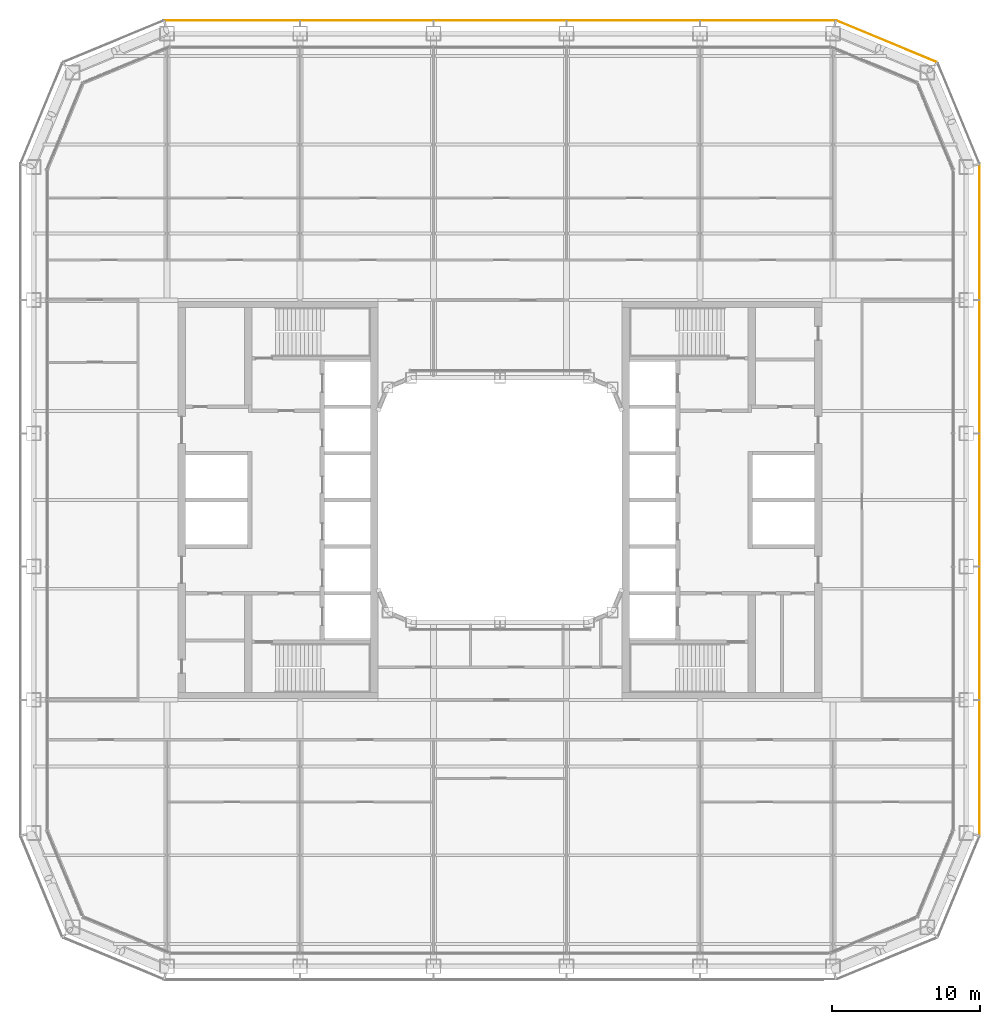
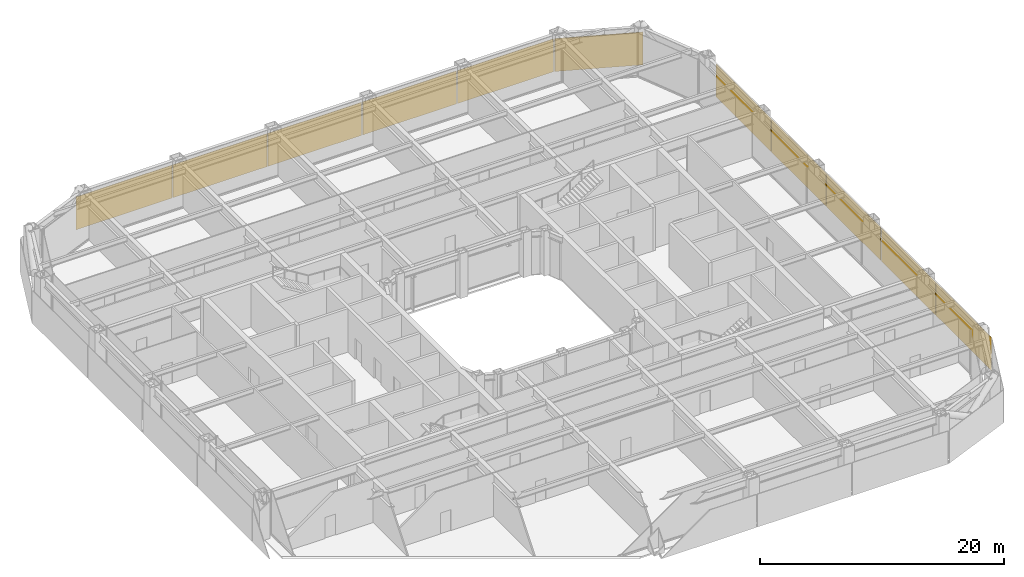
# One storey, part 24 of 24: 11 coverings.
"""IFC4 building model written with IfcOpenShell, lengths in metres."""

from ifc_helpers import new_model, si_unit, direction, frame, origin, origin_2d, place, context, subcontext, project, spatial, rectangle, extrude, material, layer, layer_set, type_object, element, save


model = new_model("IFC4")

# Units and contexts
model_context = context("Model", 3, precision=1e-05, world=origin(), true_north=direction((0.0, 1.0)))
body_context = subcontext(model_context, "Body", "Model", "MODEL_VIEW")
ifc_project = project(units=[si_unit("LENGTHUNIT", "METRE"), si_unit("AREAUNIT", "SQUARE_METRE"), si_unit("VOLUMEUNIT", "CUBIC_METRE"), si_unit("PLANEANGLEUNIT", "RADIAN"), si_unit("MASSUNIT", "GRAM", prefix="KILO")], contexts=[model_context])

# Site, building, storey
site_placement = place(None, origin())
site = spatial("IfcSite", under=ifc_project, at=site_placement, CompositionType="ELEMENT")
building_placement = place(site_placement, origin())
building = spatial("IfcBuilding", under=site, at=building_placement, Name="Siwar Civic Tower", CompositionType="ELEMENT")
storey_placement = place(building_placement, frame((0.0, 0.0, 76.199951171875)))
storey = spatial("IfcBuildingStorey", under=building, at=storey_placement, Name="L16", CompositionType="ELEMENT", Elevation=76.199951171875)

# Coverings
ifc_material = material(Name="Perforated aluminium cassette, pale metal", Category="aluminium")
ifc_layer = layer(ifc_material, 0.0400390625)
ifc_layer_set = layer_set([ifc_layer], Name="Perforated aluminium cassette, pale metal")
covering_type = type_object("IfcCoveringType", Name="ENV-OUTER SKIN OS-1", PredefinedType="CLADDING", material=ifc_layer_set)
covering_1_placement = place(storey_placement, frame((32.39990234375, -18.07958984375, -0.14990234375), z_axis=(0.0, 0.0, 1.0), x_axis=(0.0, 1.0, 0.0)))
element("IfcCovering", 1, at=covering_1_placement, inside=storey, type_object=covering_type, Name="OUTER SKIN OS-1 E 1", PredefinedType="CLADDING", context=body_context, shape_type="SweptSolid", body=[
    extrude(rectangle(XDim=9.05908203125, YDim=0.0400390625, at=origin_2d()), origin(), (0.0, 0.0, 1.0), 3.300048828125),
])
for number, where, z_axis, x_axis, name in (
    (2, (32.39990234375, -9.0, -0.14990234375), (0.0, 0.0, 1.0), (0.0, 1.0, 0.0), "OUTER SKIN OS-1 E 2"),
    (3, (32.39990234375, 0.0, -0.14990234375), (0.0, 0.0, 1.0), (0.0, 1.0, 0.0), "OUTER SKIN OS-1 E 3"),
    (4, (32.39990234375, 9.0, -0.14990234375), (0.0, 0.0, 1.0), (0.0, 1.0, 0.0), "OUTER SKIN OS-1 E 4"),
):
    element("IfcCovering", number, at=place(storey_placement, frame(where, z_axis=z_axis, x_axis=x_axis)), inside=storey, type_object=covering_type, Name=name, PredefinedType="CLADDING", context=body_context, shape_type="SweptSolid", body=[
        extrude(rectangle(XDim=8.89990234375, YDim=0.0400390625, at=origin_2d()), origin(), (0.0, 0.0, 1.0), 3.300048828125),
    ])
covering_2_placement = place(storey_placement, frame((32.39990234375, 18.07958984375, -0.14990234375), z_axis=(0.0, 0.0, 1.0), x_axis=(0.0, 1.0, 0.0)))
element("IfcCovering", 5, at=covering_2_placement, inside=storey, type_object=covering_type, Name="OUTER SKIN OS-1 E 5", PredefinedType="CLADDING", context=body_context, shape_type="SweptSolid", body=[
    extrude(rectangle(XDim=9.05908203125, YDim=0.0400390625, at=origin_2d()), origin(), (0.0, 0.0, 1.0), 3.300048828125),
])
covering_3_placement = place(storey_placement, frame((26.115966796875, 30.976318359375, -0.14990234375), z_axis=(0.0, 0.0, 1.0), x_axis=(-0.923879532511, 0.382683432365, 0.0)))
element("IfcCovering", 6, at=covering_3_placement, inside=storey, type_object=covering_type, Name="OUTER SKIN OS-1 NE2 1", PredefinedType="CLADDING", context=body_context, shape_type="SweptSolid", body=[
    extrude(rectangle(XDim=7.300048828125, YDim=0.0400390625, at=origin_2d()), origin(), (0.0, 0.0, 1.0), 3.300048828125),
])
covering_4_placement = place(storey_placement, frame((18.07958984375, 32.39990234375, -0.14990234375), z_axis=(0.0, 0.0, 1.0), x_axis=(-1.0, 0.0, 0.0)))
element("IfcCovering", 7, at=covering_4_placement, inside=storey, type_object=covering_type, Name="OUTER SKIN OS-1 N 1", PredefinedType="CLADDING", context=body_context, shape_type="SweptSolid", body=[
    extrude(rectangle(XDim=9.05908203125, YDim=0.0400390625, at=origin_2d()), origin(), (0.0, 0.0, 1.0), 3.300048828125),
])
for number, where, z_axis, x_axis, name in (
    (8, (9.0, 32.39990234375, -0.14990234375), (0.0, 0.0, 1.0), (-1.0, 0.0, 0.0), "OUTER SKIN OS-1 N 2"),
    (9, (0.0, 32.39990234375, -0.14990234375), (0.0, 0.0, 1.0), (-1.0, 0.0, 0.0), "OUTER SKIN OS-1 N 3"),
    (10, (-9.0, 32.39990234375, -0.14990234375), (0.0, 0.0, 1.0), (-1.0, 0.0, 0.0), "OUTER SKIN OS-1 N 4"),
):
    element("IfcCovering", number, at=place(storey_placement, frame(where, z_axis=z_axis, x_axis=x_axis)), inside=storey, type_object=covering_type, Name=name, PredefinedType="CLADDING", context=body_context, shape_type="SweptSolid", body=[
        extrude(rectangle(XDim=8.89990234375, YDim=0.0400390625, at=origin_2d()), origin(), (0.0, 0.0, 1.0), 3.300048828125),
    ])
covering_5_placement = place(storey_placement, frame((-18.07958984375, 32.39990234375, -0.14990234375), z_axis=(0.0, 0.0, 1.0), x_axis=(-1.0, 0.0, 0.0)))
element("IfcCovering", 11, at=covering_5_placement, inside=storey, type_object=covering_type, Name="OUTER SKIN OS-1 N 5", PredefinedType="CLADDING", context=body_context, shape_type="SweptSolid", body=[
    extrude(rectangle(XDim=9.05908203125, YDim=0.0400390625, at=origin_2d()), origin(), (0.0, 0.0, 1.0), 3.300048828125),
])

save(model, "model.ifc")
